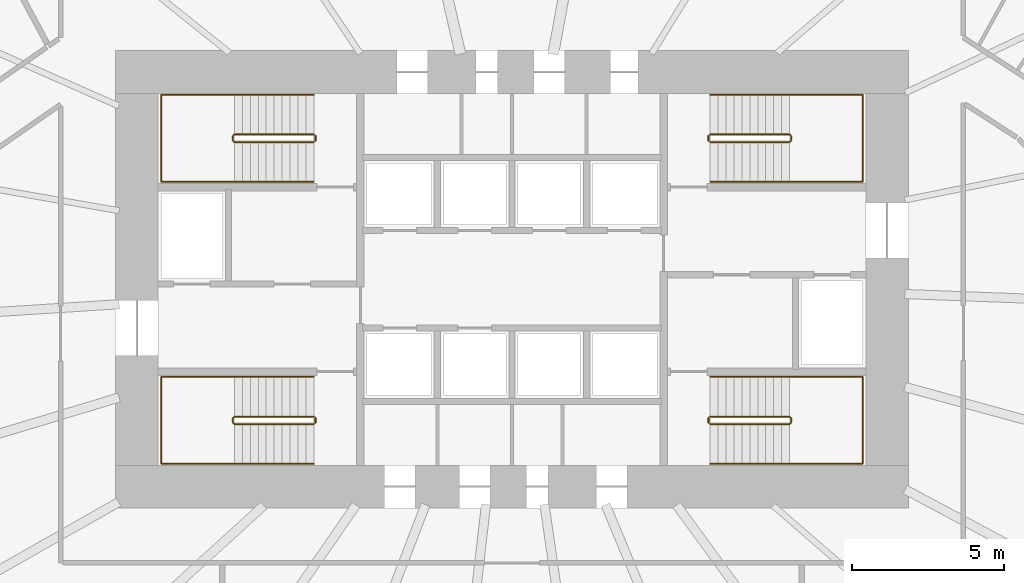
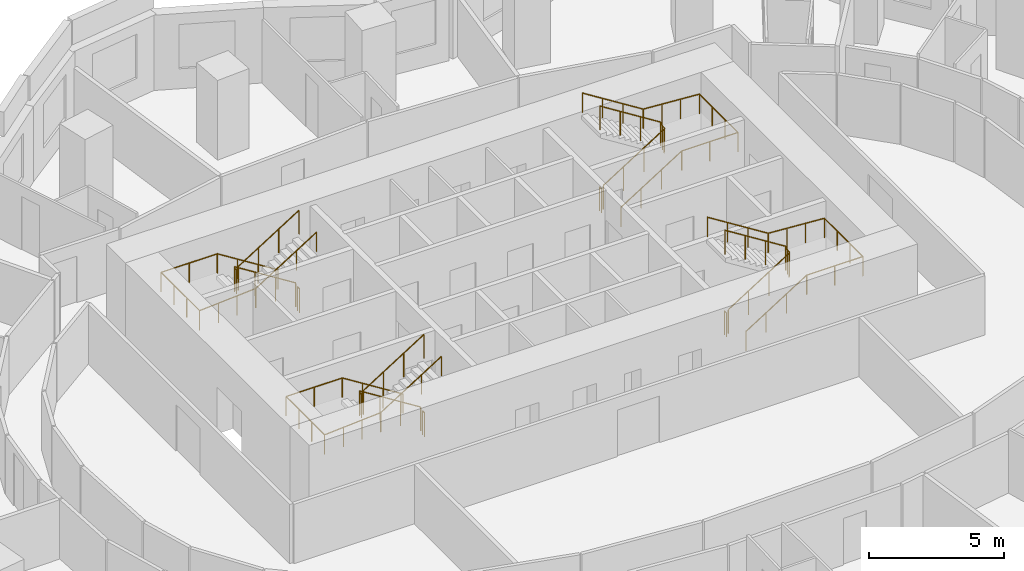
# One storey, part 11 of 11: 12 railings.
"""IFC4 building model written with IfcOpenShell, lengths in metres."""

from ifc_helpers import new_model, si_unit, direction, frame, origin, origin_2d, place, context, subcontext, project, spatial, circle, extrude, material, type_object, element, save


model = new_model("IFC4")

# Units and contexts
model_context = context("Model", 3, precision=1e-05, world=origin(), true_north=direction((0.0, 1.0)))
body_context = subcontext(model_context, "Body", "Model", "MODEL_VIEW")
ifc_project = project(units=[si_unit("LENGTHUNIT", "METRE"), si_unit("AREAUNIT", "SQUARE_METRE"), si_unit("VOLUMEUNIT", "CUBIC_METRE"), si_unit("PLANEANGLEUNIT", "RADIAN"), si_unit("MASSUNIT", "GRAM", prefix="KILO")], contexts=[model_context])

# Site, building, storey
site_placement = place(None, origin())
site = spatial("IfcSite", under=ifc_project, at=site_placement, CompositionType="ELEMENT")
building_placement = place(site_placement, origin())
building = spatial("IfcBuilding", under=site, at=building_placement, Name="Rubra Terraces Tower", CompositionType="ELEMENT")
storey_placement = place(building_placement, frame((0.0, 0.0, 37.5)))
storey = spatial("IfcBuildingStorey", under=building, at=storey_placement, Name="L06", CompositionType="ELEMENT", Elevation=37.5)

# Railings
ifc_material = material(Name="Stainless steel", Category="steel")
railing_type_1 = type_object("IfcRailingType", Name="Core stair guard 1100", PredefinedType="GUARDRAIL", material=ifc_material)
railing_1_placement = place(storey_placement, frame((-6.5, 0.0, 0.16357421875)))
element("IfcRailing", 1, at=railing_1_placement, inside=storey, type_object=railing_type_1, Name="L06 stair S1 guard 1", PredefinedType="GUARDRAIL", context=body_context, shape_type="SweptSolid", body=[
    extrude(circle(Radius=0.02392578125, at=origin_2d()), frame((0.0, 0.0, 1.076171875), z_axis=(-0.846324394277, 0.0, 0.532667832379), x_axis=(0.0, -1.0, 0.0)), (0.0, 0.0, 1.0), 3.072265625),
    extrude(circle(Radius=0.02392578125, at=origin_2d()), frame((-2.60009765625, 0.0, 2.71240234375), z_axis=(-0.705375805398, -0.708833529934, 0.0), x_axis=(0.708833529934, -0.705375805398, 0.0)), (0.0, 0.0, 1.0), 0.070556640625),
    extrude(circle(Radius=0.02392578125, at=origin_2d()), frame((-2.64990234375, -0.050048828125, 2.71240234375), z_axis=(0.0, -1.0, 0.0), x_axis=(1.0, 0.0, 0.0)), (0.0, 0.0, 1.0), 0.14990234375),
    extrude(circle(Radius=0.02392578125, at=origin_2d()), frame((-2.64990234375, -0.199951171875, 2.71240234375), z_axis=(0.279546231943, -0.280916556609, 0.91811752648), x_axis=(0.708833529934, 0.705375805398, 0.0)), (0.0, 0.0, 1.0), 0.17822265625),
    extrude(circle(Radius=0.02392578125, at=origin_2d()), frame((-2.60009765625, -0.25, 2.8759765625), z_axis=(0.846324394277, 0.0, 0.532667832379), x_axis=(0.0, 1.0, 0.0)), (0.0, 0.0, 1.0), 3.072265625),
    extrude(circle(Radius=0.02099609375, at=origin_2d()), origin(), (0.0, 0.0, 1.0), 1.052001953125),
    extrude(circle(Radius=0.02099609375, at=origin_2d()), frame((-0.86669921875, 0.0, 0.54541015625)), (0.0, 0.0, 1.0), 1.052001953125),
    extrude(circle(Radius=0.02099609375, at=origin_2d()), frame((-1.7333984375, 0.0, 1.091064453125)), (0.0, 0.0, 1.0), 1.052001953125),
    extrude(circle(Radius=0.02099609375, at=origin_2d()), frame((-2.60009765625, 0.0, 1.636474609375)), (0.0, 0.0, 1.0), 1.052001953125),
    extrude(circle(Radius=0.02099609375, at=origin_2d()), frame((-2.64990234375, -0.050048828125, 1.636474609375)), (0.0, 0.0, 1.0), 1.052001953125),
    extrude(circle(Radius=0.02099609375, at=origin_2d()), frame((-2.64990234375, -0.199951171875, 1.636474609375)), (0.0, 0.0, 1.0), 1.052001953125),
    extrude(circle(Radius=0.02099609375, at=origin_2d()), frame((-2.60009765625, -0.25, 1.800048828125)), (0.0, 0.0, 1.0), 1.052001953125),
    extrude(circle(Radius=0.02099609375, at=origin_2d()), frame((-1.7333984375, -0.25, 2.345458984375)), (0.0, 0.0, 1.0), 1.052001953125),
    extrude(circle(Radius=0.02099609375, at=origin_2d()), frame((-0.86669921875, -0.25, 2.89111328125)), (0.0, 0.0, 1.0), 1.052001953125),
    extrude(circle(Radius=0.02099609375, at=origin_2d()), frame((0.0, -0.25, 3.4365234375)), (0.0, 0.0, 1.0), 1.052001953125),
])
railing_2_placement = place(storey_placement, frame((-6.449951171875, -0.050048828125, 0.0)))
element("IfcRailing", 2, at=railing_2_placement, inside=storey, type_object=railing_type_1, Name="L06 stair S1 guard 2", PredefinedType="GUARDRAIL", context=body_context, shape_type="SweptSolid", body=[
    extrude(circle(Radius=0.02392578125, at=origin_2d()), frame((0.0, 0.0, 1.076171875), z_axis=(0.0, -1.0, 0.0), x_axis=(1.0, 0.0, 0.0)), (0.0, 0.0, 1.0), 0.14990234375),
    extrude(circle(Radius=0.02099609375, at=origin_2d()), origin(), (0.0, 0.0, 1.0), 1.052001953125),
    extrude(circle(Radius=0.02099609375, at=origin_2d()), frame((0.0, -0.14990234375, 0.0)), (0.0, 0.0, 1.0), 1.052001953125),
])
railing_3_placement = place(storey_placement, frame((-6.5, 9.25, 0.16357421875)))
element("IfcRailing", 3, at=railing_3_placement, inside=storey, type_object=railing_type_1, Name="L06 stair S2 guard 1", PredefinedType="GUARDRAIL", context=body_context, shape_type="SweptSolid", body=[
    extrude(circle(Radius=0.02392578125, at=origin_2d()), frame((0.0, 0.0, 1.076171875), z_axis=(-0.846324394277, 0.0, 0.532667832379), x_axis=(0.0, -1.0, 0.0)), (0.0, 0.0, 1.0), 3.072265625),
    extrude(circle(Radius=0.02392578125, at=origin_2d()), frame((-2.60009765625, 0.0, 2.71240234375), z_axis=(-0.705375805398, -0.708833529934, 0.0), x_axis=(0.708833529934, -0.705375805398, 0.0)), (0.0, 0.0, 1.0), 0.070556640625),
    extrude(circle(Radius=0.02392578125, at=origin_2d()), frame((-2.64990234375, -0.050048828125, 2.71240234375), z_axis=(0.0, -1.0, 0.0), x_axis=(1.0, 0.0, 0.0)), (0.0, 0.0, 1.0), 0.14990234375),
    extrude(circle(Radius=0.02392578125, at=origin_2d()), frame((-2.64990234375, -0.199951171875, 2.71240234375), z_axis=(0.279546231943, -0.280916556609, 0.91811752648), x_axis=(0.708833529934, 0.705375805398, 0.0)), (0.0, 0.0, 1.0), 0.17822265625),
    extrude(circle(Radius=0.02392578125, at=origin_2d()), frame((-2.60009765625, -0.25, 2.8759765625), z_axis=(0.846324394277, 0.0, 0.532667832379), x_axis=(0.0, 1.0, 0.0)), (0.0, 0.0, 1.0), 3.072265625),
    extrude(circle(Radius=0.02099609375, at=origin_2d()), origin(), (0.0, 0.0, 1.0), 1.052001953125),
    extrude(circle(Radius=0.02099609375, at=origin_2d()), frame((-0.86669921875, 0.0, 0.54541015625)), (0.0, 0.0, 1.0), 1.052001953125),
    extrude(circle(Radius=0.02099609375, at=origin_2d()), frame((-1.7333984375, 0.0, 1.091064453125)), (0.0, 0.0, 1.0), 1.052001953125),
    extrude(circle(Radius=0.02099609375, at=origin_2d()), frame((-2.60009765625, 0.0, 1.636474609375)), (0.0, 0.0, 1.0), 1.052001953125),
    extrude(circle(Radius=0.02099609375, at=origin_2d()), frame((-2.64990234375, -0.050048828125, 1.636474609375)), (0.0, 0.0, 1.0), 1.052001953125),
    extrude(circle(Radius=0.02099609375, at=origin_2d()), frame((-2.64990234375, -0.199951171875, 1.636474609375)), (0.0, 0.0, 1.0), 1.052001953125),
    extrude(circle(Radius=0.02099609375, at=origin_2d()), frame((-2.60009765625, -0.25, 1.800048828125)), (0.0, 0.0, 1.0), 1.052001953125),
    extrude(circle(Radius=0.02099609375, at=origin_2d()), frame((-1.7333984375, -0.25, 2.345458984375)), (0.0, 0.0, 1.0), 1.052001953125),
    extrude(circle(Radius=0.02099609375, at=origin_2d()), frame((-0.86669921875, -0.25, 2.89111328125)), (0.0, 0.0, 1.0), 1.052001953125),
    extrude(circle(Radius=0.02099609375, at=origin_2d()), frame((0.0, -0.25, 3.4365234375)), (0.0, 0.0, 1.0), 1.052001953125),
])
railing_4_placement = place(storey_placement, frame((-6.449951171875, 9.199951171875, 0.0)))
element("IfcRailing", 4, at=railing_4_placement, inside=storey, type_object=railing_type_1, Name="L06 stair S2 guard 2", PredefinedType="GUARDRAIL", context=body_context, shape_type="SweptSolid", body=[
    extrude(circle(Radius=0.02392578125, at=origin_2d()), frame((0.0, 0.0, 1.076171875), z_axis=(0.0, -1.0, 0.0), x_axis=(1.0, 0.0, 0.0)), (0.0, 0.0, 1.0), 0.14990234375),
    extrude(circle(Radius=0.02099609375, at=origin_2d()), origin(), (0.0, 0.0, 1.0), 1.052001953125),
    extrude(circle(Radius=0.02099609375, at=origin_2d()), frame((0.0, -0.14990234375, 0.0)), (0.0, 0.0, 1.0), 1.052001953125),
])
railing_5_placement = place(storey_placement, frame((6.5, 9.0, 0.16357421875)))
element("IfcRailing", 5, at=railing_5_placement, inside=storey, type_object=railing_type_1, Name="L06 stair S3 guard 1", PredefinedType="GUARDRAIL", context=body_context, shape_type="SweptSolid", body=[
    extrude(circle(Radius=0.02392578125, at=origin_2d()), frame((0.0, 0.0, 1.076171875), z_axis=(0.846324394277, 0.0, 0.532667832379), x_axis=(0.0, 1.0, 0.0)), (0.0, 0.0, 1.0), 3.072265625),
    extrude(circle(Radius=0.02392578125, at=origin_2d()), frame((2.60009765625, 0.0, 2.71240234375), z_axis=(0.705375805398, 0.708833529934, 0.0), x_axis=(-0.708833529934, 0.705375805398, 0.0)), (0.0, 0.0, 1.0), 0.070556640625),
    extrude(circle(Radius=0.02392578125, at=origin_2d()), frame((2.64990234375, 0.050048828125, 2.71240234375), z_axis=(0.0, 1.0, 0.0), x_axis=(-1.0, 0.0, 0.0)), (0.0, 0.0, 1.0), 0.14990234375),
    extrude(circle(Radius=0.02392578125, at=origin_2d()), frame((2.64990234375, 0.199951171875, 2.71240234375), z_axis=(-0.279546231943, 0.280916556609, 0.91811752648), x_axis=(-0.708833529934, -0.705375805398, 0.0)), (0.0, 0.0, 1.0), 0.17822265625),
    extrude(circle(Radius=0.02392578125, at=origin_2d()), frame((2.60009765625, 0.25, 2.8759765625), z_axis=(-0.846324394277, 0.0, 0.532667832379), x_axis=(0.0, -1.0, 0.0)), (0.0, 0.0, 1.0), 3.072265625),
    extrude(circle(Radius=0.02099609375, at=origin_2d()), origin(), (0.0, 0.0, 1.0), 1.052001953125),
    extrude(circle(Radius=0.02099609375, at=origin_2d()), frame((0.86669921875, 0.0, 0.54541015625)), (0.0, 0.0, 1.0), 1.052001953125),
    extrude(circle(Radius=0.02099609375, at=origin_2d()), frame((1.7333984375, 0.0, 1.091064453125)), (0.0, 0.0, 1.0), 1.052001953125),
    extrude(circle(Radius=0.02099609375, at=origin_2d()), frame((2.60009765625, 0.0, 1.636474609375)), (0.0, 0.0, 1.0), 1.052001953125),
    extrude(circle(Radius=0.02099609375, at=origin_2d()), frame((2.64990234375, 0.050048828125, 1.636474609375)), (0.0, 0.0, 1.0), 1.052001953125),
    extrude(circle(Radius=0.02099609375, at=origin_2d()), frame((2.64990234375, 0.199951171875, 1.636474609375)), (0.0, 0.0, 1.0), 1.052001953125),
    extrude(circle(Radius=0.02099609375, at=origin_2d()), frame((2.60009765625, 0.25, 1.800048828125)), (0.0, 0.0, 1.0), 1.052001953125),
    extrude(circle(Radius=0.02099609375, at=origin_2d()), frame((1.7333984375, 0.25, 2.345458984375)), (0.0, 0.0, 1.0), 1.052001953125),
    extrude(circle(Radius=0.02099609375, at=origin_2d()), frame((0.86669921875, 0.25, 2.89111328125)), (0.0, 0.0, 1.0), 1.052001953125),
    extrude(circle(Radius=0.02099609375, at=origin_2d()), frame((0.0, 0.25, 3.4365234375)), (0.0, 0.0, 1.0), 1.052001953125),
])
railing_6_placement = place(storey_placement, frame((6.449951171875, 9.050048828125, 0.0)))
element("IfcRailing", 6, at=railing_6_placement, inside=storey, type_object=railing_type_1, Name="L06 stair S3 guard 2", PredefinedType="GUARDRAIL", context=body_context, shape_type="SweptSolid", body=[
    extrude(circle(Radius=0.02392578125, at=origin_2d()), frame((0.0, 0.0, 1.076171875), z_axis=(0.0, 1.0, 0.0), x_axis=(-1.0, 0.0, 0.0)), (0.0, 0.0, 1.0), 0.14990234375),
    extrude(circle(Radius=0.02099609375, at=origin_2d()), origin(), (0.0, 0.0, 1.0), 1.052001953125),
    extrude(circle(Radius=0.02099609375, at=origin_2d()), frame((0.0, 0.14990234375, 0.0)), (0.0, 0.0, 1.0), 1.052001953125),
])
railing_7_placement = place(storey_placement, frame((6.5, -0.25, 0.16357421875)))
element("IfcRailing", 7, at=railing_7_placement, inside=storey, type_object=railing_type_1, Name="L06 stair S4 guard 1", PredefinedType="GUARDRAIL", context=body_context, shape_type="SweptSolid", body=[
    extrude(circle(Radius=0.02392578125, at=origin_2d()), frame((0.0, 0.0, 1.076171875), z_axis=(0.846324394277, 0.0, 0.532667832379), x_axis=(0.0, 1.0, 0.0)), (0.0, 0.0, 1.0), 3.072265625),
    extrude(circle(Radius=0.02392578125, at=origin_2d()), frame((2.60009765625, 0.0, 2.71240234375), z_axis=(0.705375805398, 0.708833529934, 0.0), x_axis=(-0.708833529934, 0.705375805398, 0.0)), (0.0, 0.0, 1.0), 0.070556640625),
    extrude(circle(Radius=0.02392578125, at=origin_2d()), frame((2.64990234375, 0.050048828125, 2.71240234375), z_axis=(0.0, 1.0, 0.0), x_axis=(-1.0, 0.0, 0.0)), (0.0, 0.0, 1.0), 0.14990234375),
    extrude(circle(Radius=0.02392578125, at=origin_2d()), frame((2.64990234375, 0.199951171875, 2.71240234375), z_axis=(-0.279546231943, 0.280916556609, 0.91811752648), x_axis=(-0.708833529934, -0.705375805398, 0.0)), (0.0, 0.0, 1.0), 0.17822265625),
    extrude(circle(Radius=0.02392578125, at=origin_2d()), frame((2.60009765625, 0.25, 2.8759765625), z_axis=(-0.846324394277, 0.0, 0.532667832379), x_axis=(0.0, -1.0, 0.0)), (0.0, 0.0, 1.0), 3.072265625),
    extrude(circle(Radius=0.02099609375, at=origin_2d()), origin(), (0.0, 0.0, 1.0), 1.052001953125),
    extrude(circle(Radius=0.02099609375, at=origin_2d()), frame((0.86669921875, 0.0, 0.54541015625)), (0.0, 0.0, 1.0), 1.052001953125),
    extrude(circle(Radius=0.02099609375, at=origin_2d()), frame((1.7333984375, 0.0, 1.091064453125)), (0.0, 0.0, 1.0), 1.052001953125),
    extrude(circle(Radius=0.02099609375, at=origin_2d()), frame((2.60009765625, 0.0, 1.636474609375)), (0.0, 0.0, 1.0), 1.052001953125),
    extrude(circle(Radius=0.02099609375, at=origin_2d()), frame((2.64990234375, 0.050048828125, 1.636474609375)), (0.0, 0.0, 1.0), 1.052001953125),
    extrude(circle(Radius=0.02099609375, at=origin_2d()), frame((2.64990234375, 0.199951171875, 1.636474609375)), (0.0, 0.0, 1.0), 1.052001953125),
    extrude(circle(Radius=0.02099609375, at=origin_2d()), frame((2.60009765625, 0.25, 1.800048828125)), (0.0, 0.0, 1.0), 1.052001953125),
    extrude(circle(Radius=0.02099609375, at=origin_2d()), frame((1.7333984375, 0.25, 2.345458984375)), (0.0, 0.0, 1.0), 1.052001953125),
    extrude(circle(Radius=0.02099609375, at=origin_2d()), frame((0.86669921875, 0.25, 2.89111328125)), (0.0, 0.0, 1.0), 1.052001953125),
    extrude(circle(Radius=0.02099609375, at=origin_2d()), frame((0.0, 0.25, 3.4365234375)), (0.0, 0.0, 1.0), 1.052001953125),
])
railing_8_placement = place(storey_placement, frame((6.449951171875, -0.199951171875, 0.0)))
element("IfcRailing", 8, at=railing_8_placement, inside=storey, type_object=railing_type_1, Name="L06 stair S4 guard 2", PredefinedType="GUARDRAIL", context=body_context, shape_type="SweptSolid", body=[
    extrude(circle(Radius=0.02392578125, at=origin_2d()), frame((0.0, 0.0, 1.076171875), z_axis=(0.0, 1.0, 0.0), x_axis=(-1.0, 0.0, 0.0)), (0.0, 0.0, 1.0), 0.14990234375),
    extrude(circle(Radius=0.02099609375, at=origin_2d()), origin(), (0.0, 0.0, 1.0), 1.052001953125),
    extrude(circle(Radius=0.02099609375, at=origin_2d()), frame((0.0, 0.14990234375, 0.0)), (0.0, 0.0, 1.0), 1.052001953125),
])
railing_type_2 = type_object("IfcRailingType", Name="Core stair handrail 900", PredefinedType="HANDRAIL", material=ifc_material)
railing_9_placement = place(storey_placement, frame((-6.5, 1.300048828125, 0.16357421875)))
element("IfcRailing", 9, at=railing_9_placement, inside=storey, type_object=railing_type_2, Name="L06 stair S1 handrail 1", PredefinedType="HANDRAIL", context=body_context, shape_type="SweptSolid", body=[
    extrude(circle(Radius=0.02392578125, at=origin_2d()), frame((0.0, 0.0, 0.8759765625), z_axis=(-0.846324394277, 0.0, 0.532667832379), x_axis=(0.0, -1.0, 0.0)), (0.0, 0.0, 1.0), 3.072265625),
    extrude(circle(Radius=0.02392578125, at=origin_2d()), frame((-2.60009765625, 0.0, 2.51220703125), z_axis=(-1.0, 0.0, 0.0), x_axis=(0.0, -1.0, 0.0)), (0.0, 0.0, 1.0), 2.39990234375),
    extrude(circle(Radius=0.02392578125, at=origin_2d()), frame((-5.0, 0.0, 2.51220703125), z_axis=(0.0, -1.0, 0.0), x_axis=(1.0, 0.0, 0.0)), (0.0, 0.0, 1.0), 2.85009765625),
    extrude(circle(Radius=0.02392578125, at=origin_2d()), frame((-5.0, -2.85009765625, 2.51220703125), z_axis=(0.997685257876, 0.0, 0.068000928055), x_axis=(0.0, 1.0, 0.0)), (0.0, 0.0, 1.0), 2.405517578125),
    extrude(circle(Radius=0.02392578125, at=origin_2d()), frame((-2.60009765625, -2.85009765625, 2.67578125), z_axis=(0.846324394277, 0.0, 0.532667832379), x_axis=(0.0, 1.0, 0.0)), (0.0, 0.0, 1.0), 3.072265625),
    extrude(circle(Radius=0.02099609375, at=origin_2d()), origin(), (0.0, 0.0, 1.0), 0.851806640625),
    extrude(circle(Radius=0.02099609375, at=origin_2d()), frame((-0.86669921875, 0.0, 0.54541015625)), (0.0, 0.0, 1.0), 0.851806640625),
    extrude(circle(Radius=0.02099609375, at=origin_2d()), frame((-1.7333984375, 0.0, 1.091064453125)), (0.0, 0.0, 1.0), 0.851806640625),
    extrude(circle(Radius=0.02099609375, at=origin_2d()), frame((-2.60009765625, 0.0, 1.636474609375)), (0.0, 0.0, 1.0), 0.851806640625),
    extrude(circle(Radius=0.02099609375, at=origin_2d()), frame((-3.800048828125, 0.0, 1.636474609375)), (0.0, 0.0, 1.0), 0.851806640625),
    extrude(circle(Radius=0.02099609375, at=origin_2d()), frame((-5.0, 0.0, 1.636474609375)), (0.0, 0.0, 1.0), 0.851806640625),
    extrude(circle(Radius=0.02099609375, at=origin_2d()), frame((-5.0, -0.949951171875, 1.636474609375)), (0.0, 0.0, 1.0), 0.851806640625),
    extrude(circle(Radius=0.02099609375, at=origin_2d()), frame((-5.0, -1.900146484375, 1.636474609375)), (0.0, 0.0, 1.0), 0.851806640625),
    extrude(circle(Radius=0.02099609375, at=origin_2d()), frame((-5.0, -2.85009765625, 1.636474609375)), (0.0, 0.0, 1.0), 0.851806640625),
    extrude(circle(Radius=0.02099609375, at=origin_2d()), frame((-4.199951171875, -2.85009765625, 1.69091796875)), (0.0, 0.0, 1.0), 0.851806640625),
    extrude(circle(Radius=0.02099609375, at=origin_2d()), frame((-3.400146484375, -2.85009765625, 1.74560546875)), (0.0, 0.0, 1.0), 0.851806640625),
    extrude(circle(Radius=0.02099609375, at=origin_2d()), frame((-2.60009765625, -2.85009765625, 1.800048828125)), (0.0, 0.0, 1.0), 0.851806640625),
    extrude(circle(Radius=0.02099609375, at=origin_2d()), frame((-1.7333984375, -2.85009765625, 2.345458984375)), (0.0, 0.0, 1.0), 0.851806640625),
    extrude(circle(Radius=0.02099609375, at=origin_2d()), frame((-0.86669921875, -2.85009765625, 2.89111328125)), (0.0, 0.0, 1.0), 0.851806640625),
    extrude(circle(Radius=0.02099609375, at=origin_2d()), frame((0.0, -2.85009765625, 3.4365234375)), (0.0, 0.0, 1.0), 0.851806640625),
])
railing_10_placement = place(storey_placement, frame((-6.5, 10.550048828125, 0.16357421875)))
element("IfcRailing", 10, at=railing_10_placement, inside=storey, type_object=railing_type_2, Name="L06 stair S2 handrail 1", PredefinedType="HANDRAIL", context=body_context, shape_type="SweptSolid", body=[
    extrude(circle(Radius=0.02392578125, at=origin_2d()), frame((0.0, 0.0, 0.8759765625), z_axis=(-0.846324394277, 0.0, 0.532667832379), x_axis=(0.0, -1.0, 0.0)), (0.0, 0.0, 1.0), 3.072265625),
    extrude(circle(Radius=0.02392578125, at=origin_2d()), frame((-2.60009765625, 0.0, 2.51220703125), z_axis=(-1.0, 0.0, 0.0), x_axis=(0.0, -1.0, 0.0)), (0.0, 0.0, 1.0), 2.39990234375),
    extrude(circle(Radius=0.02392578125, at=origin_2d()), frame((-5.0, 0.0, 2.51220703125), z_axis=(0.0, -1.0, 0.0), x_axis=(1.0, 0.0, 0.0)), (0.0, 0.0, 1.0), 2.85009765625),
    extrude(circle(Radius=0.02392578125, at=origin_2d()), frame((-5.0, -2.85009765625, 2.51220703125), z_axis=(0.997685257876, 0.0, 0.068000928055), x_axis=(0.0, 1.0, 0.0)), (0.0, 0.0, 1.0), 2.405517578125),
    extrude(circle(Radius=0.02392578125, at=origin_2d()), frame((-2.60009765625, -2.85009765625, 2.67578125), z_axis=(0.846324394277, 0.0, 0.532667832379), x_axis=(0.0, 1.0, 0.0)), (0.0, 0.0, 1.0), 3.072265625),
    extrude(circle(Radius=0.02099609375, at=origin_2d()), origin(), (0.0, 0.0, 1.0), 0.851806640625),
    extrude(circle(Radius=0.02099609375, at=origin_2d()), frame((-0.86669921875, 0.0, 0.54541015625)), (0.0, 0.0, 1.0), 0.851806640625),
    extrude(circle(Radius=0.02099609375, at=origin_2d()), frame((-1.7333984375, 0.0, 1.091064453125)), (0.0, 0.0, 1.0), 0.851806640625),
    extrude(circle(Radius=0.02099609375, at=origin_2d()), frame((-2.60009765625, 0.0, 1.636474609375)), (0.0, 0.0, 1.0), 0.851806640625),
    extrude(circle(Radius=0.02099609375, at=origin_2d()), frame((-3.800048828125, 0.0, 1.636474609375)), (0.0, 0.0, 1.0), 0.851806640625),
    extrude(circle(Radius=0.02099609375, at=origin_2d()), frame((-5.0, 0.0, 1.636474609375)), (0.0, 0.0, 1.0), 0.851806640625),
    extrude(circle(Radius=0.02099609375, at=origin_2d()), frame((-5.0, -0.949951171875, 1.636474609375)), (0.0, 0.0, 1.0), 0.851806640625),
    extrude(circle(Radius=0.02099609375, at=origin_2d()), frame((-5.0, -1.900146484375, 1.636474609375)), (0.0, 0.0, 1.0), 0.851806640625),
    extrude(circle(Radius=0.02099609375, at=origin_2d()), frame((-5.0, -2.85009765625, 1.636474609375)), (0.0, 0.0, 1.0), 0.851806640625),
    extrude(circle(Radius=0.02099609375, at=origin_2d()), frame((-4.199951171875, -2.85009765625, 1.69091796875)), (0.0, 0.0, 1.0), 0.851806640625),
    extrude(circle(Radius=0.02099609375, at=origin_2d()), frame((-3.400146484375, -2.85009765625, 1.74560546875)), (0.0, 0.0, 1.0), 0.851806640625),
    extrude(circle(Radius=0.02099609375, at=origin_2d()), frame((-2.60009765625, -2.85009765625, 1.800048828125)), (0.0, 0.0, 1.0), 0.851806640625),
    extrude(circle(Radius=0.02099609375, at=origin_2d()), frame((-1.7333984375, -2.85009765625, 2.345458984375)), (0.0, 0.0, 1.0), 0.851806640625),
    extrude(circle(Radius=0.02099609375, at=origin_2d()), frame((-0.86669921875, -2.85009765625, 2.89111328125)), (0.0, 0.0, 1.0), 0.851806640625),
    extrude(circle(Radius=0.02099609375, at=origin_2d()), frame((0.0, -2.85009765625, 3.4365234375)), (0.0, 0.0, 1.0), 0.851806640625),
])
railing_11_placement = place(storey_placement, frame((6.5, 7.699951171875, 0.16357421875)))
element("IfcRailing", 11, at=railing_11_placement, inside=storey, type_object=railing_type_2, Name="L06 stair S3 handrail 1", PredefinedType="HANDRAIL", context=body_context, shape_type="SweptSolid", body=[
    extrude(circle(Radius=0.02392578125, at=origin_2d()), frame((0.0, 0.0, 0.8759765625), z_axis=(0.846324394277, 0.0, 0.532667832379), x_axis=(0.0, 1.0, 0.0)), (0.0, 0.0, 1.0), 3.072265625),
    extrude(circle(Radius=0.02392578125, at=origin_2d()), frame((2.60009765625, 0.0, 2.51220703125), z_axis=(1.0, 0.0, 0.0), x_axis=(0.0, 1.0, 0.0)), (0.0, 0.0, 1.0), 2.39990234375),
    extrude(circle(Radius=0.02392578125, at=origin_2d()), frame((5.0, 0.0, 2.51220703125), z_axis=(0.0, 1.0, 0.0), x_axis=(-1.0, 0.0, 0.0)), (0.0, 0.0, 1.0), 2.85009765625),
    extrude(circle(Radius=0.02392578125, at=origin_2d()), frame((5.0, 2.85009765625, 2.51220703125), z_axis=(-0.997685257876, 0.0, 0.068000928055), x_axis=(0.0, -1.0, 0.0)), (0.0, 0.0, 1.0), 2.405517578125),
    extrude(circle(Radius=0.02392578125, at=origin_2d()), frame((2.60009765625, 2.85009765625, 2.67578125), z_axis=(-0.846324394277, 0.0, 0.532667832379), x_axis=(0.0, -1.0, 0.0)), (0.0, 0.0, 1.0), 3.072265625),
    extrude(circle(Radius=0.02099609375, at=origin_2d()), origin(), (0.0, 0.0, 1.0), 0.851806640625),
    extrude(circle(Radius=0.02099609375, at=origin_2d()), frame((0.86669921875, 0.0, 0.54541015625)), (0.0, 0.0, 1.0), 0.851806640625),
    extrude(circle(Radius=0.02099609375, at=origin_2d()), frame((1.7333984375, 0.0, 1.091064453125)), (0.0, 0.0, 1.0), 0.851806640625),
    extrude(circle(Radius=0.02099609375, at=origin_2d()), frame((2.60009765625, 0.0, 1.636474609375)), (0.0, 0.0, 1.0), 0.851806640625),
    extrude(circle(Radius=0.02099609375, at=origin_2d()), frame((3.800048828125, 0.0, 1.636474609375)), (0.0, 0.0, 1.0), 0.851806640625),
    extrude(circle(Radius=0.02099609375, at=origin_2d()), frame((5.0, 0.0, 1.636474609375)), (0.0, 0.0, 1.0), 0.851806640625),
    extrude(circle(Radius=0.02099609375, at=origin_2d()), frame((5.0, 0.949951171875, 1.636474609375)), (0.0, 0.0, 1.0), 0.851806640625),
    extrude(circle(Radius=0.02099609375, at=origin_2d()), frame((5.0, 1.900146484375, 1.636474609375)), (0.0, 0.0, 1.0), 0.851806640625),
    extrude(circle(Radius=0.02099609375, at=origin_2d()), frame((5.0, 2.85009765625, 1.636474609375)), (0.0, 0.0, 1.0), 0.851806640625),
    extrude(circle(Radius=0.02099609375, at=origin_2d()), frame((4.199951171875, 2.85009765625, 1.69091796875)), (0.0, 0.0, 1.0), 0.851806640625),
    extrude(circle(Radius=0.02099609375, at=origin_2d()), frame((3.400146484375, 2.85009765625, 1.74560546875)), (0.0, 0.0, 1.0), 0.851806640625),
    extrude(circle(Radius=0.02099609375, at=origin_2d()), frame((2.60009765625, 2.85009765625, 1.800048828125)), (0.0, 0.0, 1.0), 0.851806640625),
    extrude(circle(Radius=0.02099609375, at=origin_2d()), frame((1.7333984375, 2.85009765625, 2.345458984375)), (0.0, 0.0, 1.0), 0.851806640625),
    extrude(circle(Radius=0.02099609375, at=origin_2d()), frame((0.86669921875, 2.85009765625, 2.89111328125)), (0.0, 0.0, 1.0), 0.851806640625),
    extrude(circle(Radius=0.02099609375, at=origin_2d()), frame((0.0, 2.85009765625, 3.4365234375)), (0.0, 0.0, 1.0), 0.851806640625),
])
railing_12_placement = place(storey_placement, frame((6.5, -1.550048828125, 0.16357421875)))
element("IfcRailing", 12, at=railing_12_placement, inside=storey, type_object=railing_type_2, Name="L06 stair S4 handrail 1", PredefinedType="HANDRAIL", context=body_context, shape_type="SweptSolid", body=[
    extrude(circle(Radius=0.02392578125, at=origin_2d()), frame((0.0, 0.0, 0.8759765625), z_axis=(0.846324394277, 0.0, 0.532667832379), x_axis=(0.0, 1.0, 0.0)), (0.0, 0.0, 1.0), 3.072265625),
    extrude(circle(Radius=0.02392578125, at=origin_2d()), frame((2.60009765625, 0.0, 2.51220703125), z_axis=(1.0, 0.0, 0.0), x_axis=(0.0, 1.0, 0.0)), (0.0, 0.0, 1.0), 2.39990234375),
    extrude(circle(Radius=0.02392578125, at=origin_2d()), frame((5.0, 0.0, 2.51220703125), z_axis=(0.0, 1.0, 0.0), x_axis=(-1.0, 0.0, 0.0)), (0.0, 0.0, 1.0), 2.85009765625),
    extrude(circle(Radius=0.02392578125, at=origin_2d()), frame((5.0, 2.85009765625, 2.51220703125), z_axis=(-0.997685257876, 0.0, 0.068000928055), x_axis=(0.0, -1.0, 0.0)), (0.0, 0.0, 1.0), 2.405517578125),
    extrude(circle(Radius=0.02392578125, at=origin_2d()), frame((2.60009765625, 2.85009765625, 2.67578125), z_axis=(-0.846324394277, 0.0, 0.532667832379), x_axis=(0.0, -1.0, 0.0)), (0.0, 0.0, 1.0), 3.072265625),
    extrude(circle(Radius=0.02099609375, at=origin_2d()), origin(), (0.0, 0.0, 1.0), 0.851806640625),
    extrude(circle(Radius=0.02099609375, at=origin_2d()), frame((0.86669921875, 0.0, 0.54541015625)), (0.0, 0.0, 1.0), 0.851806640625),
    extrude(circle(Radius=0.02099609375, at=origin_2d()), frame((1.7333984375, 0.0, 1.091064453125)), (0.0, 0.0, 1.0), 0.851806640625),
    extrude(circle(Radius=0.02099609375, at=origin_2d()), frame((2.60009765625, 0.0, 1.636474609375)), (0.0, 0.0, 1.0), 0.851806640625),
    extrude(circle(Radius=0.02099609375, at=origin_2d()), frame((3.800048828125, 0.0, 1.636474609375)), (0.0, 0.0, 1.0), 0.851806640625),
    extrude(circle(Radius=0.02099609375, at=origin_2d()), frame((5.0, 0.0, 1.636474609375)), (0.0, 0.0, 1.0), 0.851806640625),
    extrude(circle(Radius=0.02099609375, at=origin_2d()), frame((5.0, 0.949951171875, 1.636474609375)), (0.0, 0.0, 1.0), 0.851806640625),
    extrude(circle(Radius=0.02099609375, at=origin_2d()), frame((5.0, 1.900146484375, 1.636474609375)), (0.0, 0.0, 1.0), 0.851806640625),
    extrude(circle(Radius=0.02099609375, at=origin_2d()), frame((5.0, 2.85009765625, 1.636474609375)), (0.0, 0.0, 1.0), 0.851806640625),
    extrude(circle(Radius=0.02099609375, at=origin_2d()), frame((4.199951171875, 2.85009765625, 1.69091796875)), (0.0, 0.0, 1.0), 0.851806640625),
    extrude(circle(Radius=0.02099609375, at=origin_2d()), frame((3.400146484375, 2.85009765625, 1.74560546875)), (0.0, 0.0, 1.0), 0.851806640625),
    extrude(circle(Radius=0.02099609375, at=origin_2d()), frame((2.60009765625, 2.85009765625, 1.800048828125)), (0.0, 0.0, 1.0), 0.851806640625),
    extrude(circle(Radius=0.02099609375, at=origin_2d()), frame((1.7333984375, 2.85009765625, 2.345458984375)), (0.0, 0.0, 1.0), 0.851806640625),
    extrude(circle(Radius=0.02099609375, at=origin_2d()), frame((0.86669921875, 2.85009765625, 2.89111328125)), (0.0, 0.0, 1.0), 0.851806640625),
    extrude(circle(Radius=0.02099609375, at=origin_2d()), frame((0.0, 2.85009765625, 3.4365234375)), (0.0, 0.0, 1.0), 0.851806640625),
])

save(model, "model.ifc")
